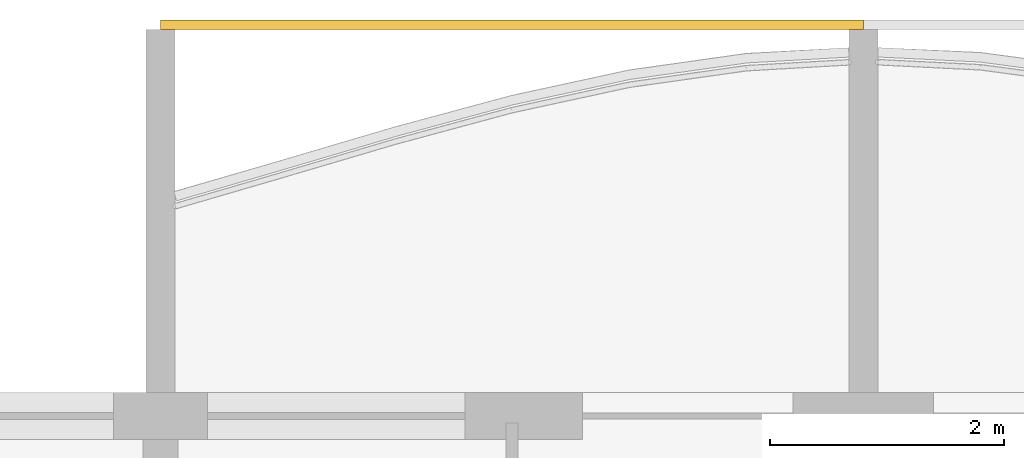
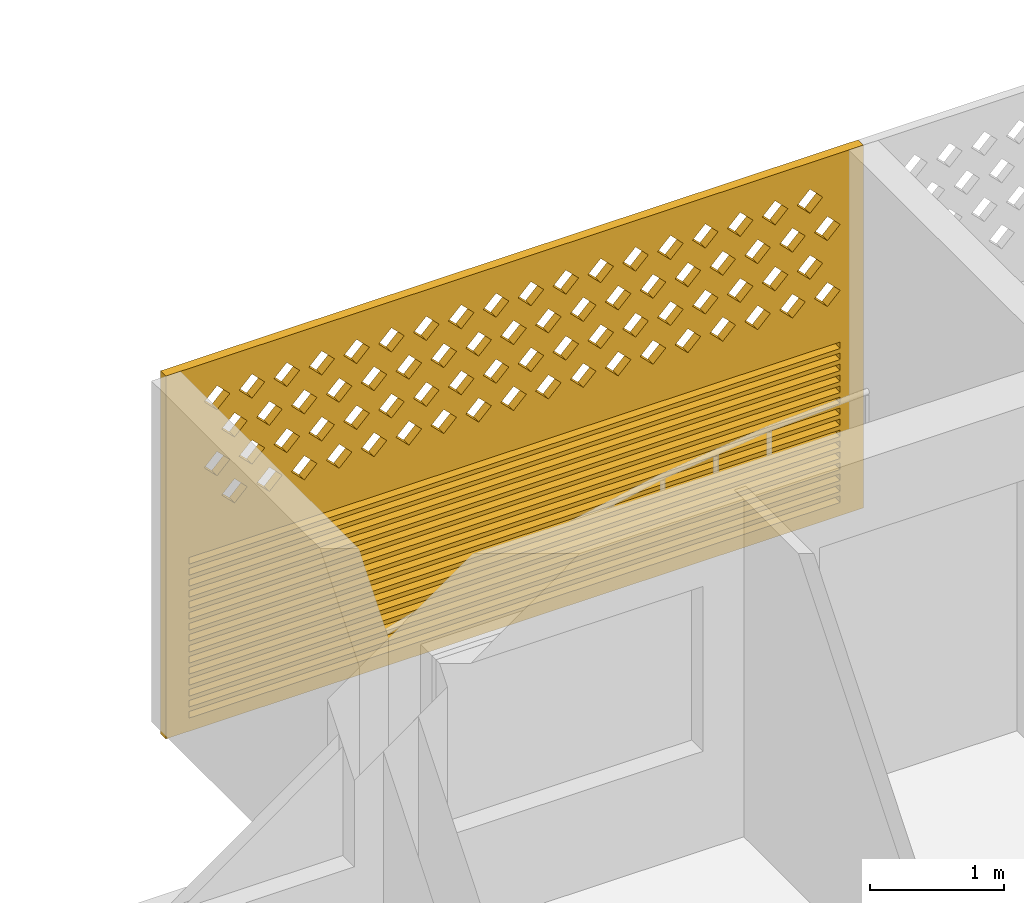
# One storey, part 27 of 31: 1 covering.
"""IFC4 building model written with IfcOpenShell, lengths in metres."""

from ifc_helpers import new_model, si_unit, direction, frame, origin, place, context, subcontext, project, spatial, polyline, outline, extrude, source, transform, mapped, material, material_profile, profile_set, type_object, element, save


model = new_model("IFC4")

# Units and contexts
model_context = context("Model", 3, precision=1e-05, world=origin(), true_north=direction((0.0, 1.0)))
body_context = subcontext(model_context, "Body", "Model", "MODEL_VIEW")
ifc_project = project(units=[si_unit("LENGTHUNIT", "METRE"), si_unit("AREAUNIT", "SQUARE_METRE"), si_unit("VOLUMEUNIT", "CUBIC_METRE"), si_unit("PLANEANGLEUNIT", "RADIAN"), si_unit("MASSUNIT", "GRAM", prefix="KILO")], contexts=[model_context])

# Site, building, storey
site_placement = place(None, origin())
site = spatial("IfcSite", under=ifc_project, at=site_placement, CompositionType="ELEMENT")
building_placement = place(site_placement, origin())
building = spatial("IfcBuilding", under=site, at=building_placement, Name="Poui Terraces", CompositionType="ELEMENT")
storey_placement = place(building_placement, frame((0.0, 0.0, 148.800048828125)))
storey = spatial("IfcBuildingStorey", under=building, at=storey_placement, Name="L41", CompositionType="ELEMENT", Elevation=148.800048828125)

# Covering
ifc_material = material(Name="Terracotta screen", Category="masonry")
ifc_material_profile = material_profile(ifc_material, outline(polyline([(-3.0, -1.64990234375), (3.0, -1.64990234375), (3.0, 1.64990234375), (-3.0, 1.64990234375), (-3.0, -1.64990234375)]), holes=[polyline([(-2.800048828125, 0.39990234375), (-2.68994140625, 0.2900390625), (-2.580078125, 0.39990234375), (-2.68994140625, 0.510009765625), (-2.800048828125, 0.39990234375)]), polyline([(-2.5, 0.39990234375), (-2.389892578125, 0.2900390625), (-2.280029296875, 0.39990234375), (-2.389892578125, 0.510009765625), (-2.5, 0.39990234375)]), polyline([(-2.199951171875, 0.39990234375), (-2.090087890625, 0.2900390625), (-1.97998046875, 0.39990234375), (-2.090087890625, 0.510009765625), (-2.199951171875, 0.39990234375)]), polyline([(-1.89990234375, 0.39990234375), (-1.7900390625, 0.2900390625), (-1.679931640625, 0.39990234375), (-1.7900390625, 0.510009765625), (-1.89990234375, 0.39990234375)]), polyline([(-1.60009765625, 0.39990234375), (-1.489990234375, 0.2900390625), (-1.3798828125, 0.39990234375), (-1.489990234375, 0.510009765625), (-1.60009765625, 0.39990234375)]), polyline([(-1.300048828125, 0.39990234375), (-1.18994140625, 0.2900390625), (-1.080078125, 0.39990234375), (-1.18994140625, 0.510009765625), (-1.300048828125, 0.39990234375)]), polyline([(-1.0, 0.39990234375), (-0.889892578125, 0.2900390625), (-0.780029296875, 0.39990234375), (-0.889892578125, 0.510009765625), (-1.0, 0.39990234375)]), polyline([(-0.699951171875, 0.39990234375), (-0.590087890625, 0.2900390625), (-0.47998046875, 0.39990234375), (-0.590087890625, 0.510009765625), (-0.699951171875, 0.39990234375)]), polyline([(-0.39990234375, 0.39990234375), (-0.2900390625, 0.2900390625), (-0.179931640625, 0.39990234375), (-0.2900390625, 0.510009765625), (-0.39990234375, 0.39990234375)]), polyline([(-0.10009765625, 0.39990234375), (0.010009765625, 0.2900390625), (0.1201171875, 0.39990234375), (0.010009765625, 0.510009765625), (-0.10009765625, 0.39990234375)]), polyline([(0.199951171875, 0.39990234375), (0.31005859375, 0.2900390625), (0.419921875, 0.39990234375), (0.31005859375, 0.510009765625), (0.199951171875, 0.39990234375)]), polyline([(0.5, 0.39990234375), (0.610107421875, 0.2900390625), (0.719970703125, 0.39990234375), (0.610107421875, 0.510009765625), (0.5, 0.39990234375)]), polyline([(0.800048828125, 0.39990234375), (0.909912109375, 0.2900390625), (1.02001953125, 0.39990234375), (0.909912109375, 0.510009765625), (0.800048828125, 0.39990234375)]), polyline([(1.10009765625, 0.39990234375), (1.2099609375, 0.2900390625), (1.320068359375, 0.39990234375), (1.2099609375, 0.510009765625), (1.10009765625, 0.39990234375)]), polyline([(1.39990234375, 0.39990234375), (1.510009765625, 0.2900390625), (1.6201171875, 0.39990234375), (1.510009765625, 0.510009765625), (1.39990234375, 0.39990234375)]), polyline([(1.699951171875, 0.39990234375), (1.81005859375, 0.2900390625), (1.919921875, 0.39990234375), (1.81005859375, 0.510009765625), (1.699951171875, 0.39990234375)]), polyline([(2.0, 0.39990234375), (2.110107421875, 0.2900390625), (2.219970703125, 0.39990234375), (2.110107421875, 0.510009765625), (2.0, 0.39990234375)]), polyline([(2.300048828125, 0.39990234375), (2.409912109375, 0.2900390625), (2.52001953125, 0.39990234375), (2.409912109375, 0.510009765625), (2.300048828125, 0.39990234375)]), polyline([(-2.64990234375, 0.699951171875), (-2.5400390625, 0.590087890625), (-2.429931640625, 0.699951171875), (-2.5400390625, 0.81005859375), (-2.64990234375, 0.699951171875)]), polyline([(-2.35009765625, 0.699951171875), (-2.239990234375, 0.590087890625), (-2.1298828125, 0.699951171875), (-2.239990234375, 0.81005859375), (-2.35009765625, 0.699951171875)]), polyline([(-2.050048828125, 0.699951171875), (-1.93994140625, 0.590087890625), (-1.830078125, 0.699951171875), (-1.93994140625, 0.81005859375), (-2.050048828125, 0.699951171875)]), polyline([(-1.75, 0.699951171875), (-1.639892578125, 0.590087890625), (-1.530029296875, 0.699951171875), (-1.639892578125, 0.81005859375), (-1.75, 0.699951171875)]), polyline([(-1.449951171875, 0.699951171875), (-1.340087890625, 0.590087890625), (-1.22998046875, 0.699951171875), (-1.340087890625, 0.81005859375), (-1.449951171875, 0.699951171875)]), polyline([(-1.14990234375, 0.699951171875), (-1.0400390625, 0.590087890625), (-0.929931640625, 0.699951171875), (-1.0400390625, 0.81005859375), (-1.14990234375, 0.699951171875)]), polyline([(-0.85009765625, 0.699951171875), (-0.739990234375, 0.590087890625), (-0.6298828125, 0.699951171875), (-0.739990234375, 0.81005859375), (-0.85009765625, 0.699951171875)]), polyline([(-0.550048828125, 0.699951171875), (-0.43994140625, 0.590087890625), (-0.330078125, 0.699951171875), (-0.43994140625, 0.81005859375), (-0.550048828125, 0.699951171875)]), polyline([(-0.25, 0.699951171875), (-0.139892578125, 0.590087890625), (-0.030029296875, 0.699951171875), (-0.139892578125, 0.81005859375), (-0.25, 0.699951171875)]), polyline([(0.050048828125, 0.699951171875), (0.159912109375, 0.590087890625), (0.27001953125, 0.699951171875), (0.159912109375, 0.81005859375), (0.050048828125, 0.699951171875)]), polyline([(0.35009765625, 0.699951171875), (0.4599609375, 0.590087890625), (0.570068359375, 0.699951171875), (0.4599609375, 0.81005859375), (0.35009765625, 0.699951171875)]), polyline([(0.64990234375, 0.699951171875), (0.760009765625, 0.590087890625), (0.8701171875, 0.699951171875), (0.760009765625, 0.81005859375), (0.64990234375, 0.699951171875)]), polyline([(0.949951171875, 0.699951171875), (1.06005859375, 0.590087890625), (1.169921875, 0.699951171875), (1.06005859375, 0.81005859375), (0.949951171875, 0.699951171875)]), polyline([(1.25, 0.699951171875), (1.360107421875, 0.590087890625), (1.469970703125, 0.699951171875), (1.360107421875, 0.81005859375), (1.25, 0.699951171875)]), polyline([(1.550048828125, 0.699951171875), (1.659912109375, 0.590087890625), (1.77001953125, 0.699951171875), (1.659912109375, 0.81005859375), (1.550048828125, 0.699951171875)]), polyline([(1.85009765625, 0.699951171875), (1.9599609375, 0.590087890625), (2.070068359375, 0.699951171875), (1.9599609375, 0.81005859375), (1.85009765625, 0.699951171875)]), polyline([(2.14990234375, 0.699951171875), (2.260009765625, 0.590087890625), (2.3701171875, 0.699951171875), (2.260009765625, 0.81005859375), (2.14990234375, 0.699951171875)]), polyline([(2.449951171875, 0.699951171875), (2.56005859375, 0.590087890625), (2.669921875, 0.699951171875), (2.56005859375, 0.81005859375), (2.449951171875, 0.699951171875)]), polyline([(-2.800048828125, 1.0), (-2.68994140625, 0.889892578125), (-2.580078125, 1.0), (-2.68994140625, 1.110107421875), (-2.800048828125, 1.0)]), polyline([(-2.5, 1.0), (-2.389892578125, 0.889892578125), (-2.280029296875, 1.0), (-2.389892578125, 1.110107421875), (-2.5, 1.0)]), polyline([(-2.199951171875, 1.0), (-2.090087890625, 0.889892578125), (-1.97998046875, 1.0), (-2.090087890625, 1.110107421875), (-2.199951171875, 1.0)]), polyline([(-1.89990234375, 1.0), (-1.7900390625, 0.889892578125), (-1.679931640625, 1.0), (-1.7900390625, 1.110107421875), (-1.89990234375, 1.0)]), polyline([(-1.60009765625, 1.0), (-1.489990234375, 0.889892578125), (-1.3798828125, 1.0), (-1.489990234375, 1.110107421875), (-1.60009765625, 1.0)]), polyline([(-1.300048828125, 1.0), (-1.18994140625, 0.889892578125), (-1.080078125, 1.0), (-1.18994140625, 1.110107421875), (-1.300048828125, 1.0)]), polyline([(-1.0, 1.0), (-0.889892578125, 0.889892578125), (-0.780029296875, 1.0), (-0.889892578125, 1.110107421875), (-1.0, 1.0)]), polyline([(-0.699951171875, 1.0), (-0.590087890625, 0.889892578125), (-0.47998046875, 1.0), (-0.590087890625, 1.110107421875), (-0.699951171875, 1.0)]), polyline([(-0.39990234375, 1.0), (-0.2900390625, 0.889892578125), (-0.179931640625, 1.0), (-0.2900390625, 1.110107421875), (-0.39990234375, 1.0)]), polyline([(-0.10009765625, 1.0), (0.010009765625, 0.889892578125), (0.1201171875, 1.0), (0.010009765625, 1.110107421875), (-0.10009765625, 1.0)]), polyline([(0.199951171875, 1.0), (0.31005859375, 0.889892578125), (0.419921875, 1.0), (0.31005859375, 1.110107421875), (0.199951171875, 1.0)]), polyline([(0.5, 1.0), (0.610107421875, 0.889892578125), (0.719970703125, 1.0), (0.610107421875, 1.110107421875), (0.5, 1.0)]), polyline([(0.800048828125, 1.0), (0.909912109375, 0.889892578125), (1.02001953125, 1.0), (0.909912109375, 1.110107421875), (0.800048828125, 1.0)]), polyline([(1.10009765625, 1.0), (1.2099609375, 0.889892578125), (1.320068359375, 1.0), (1.2099609375, 1.110107421875), (1.10009765625, 1.0)]), polyline([(1.39990234375, 1.0), (1.510009765625, 0.889892578125), (1.6201171875, 1.0), (1.510009765625, 1.110107421875), (1.39990234375, 1.0)]), polyline([(1.699951171875, 1.0), (1.81005859375, 0.889892578125), (1.919921875, 1.0), (1.81005859375, 1.110107421875), (1.699951171875, 1.0)]), polyline([(2.0, 1.0), (2.110107421875, 0.889892578125), (2.219970703125, 1.0), (2.110107421875, 1.110107421875), (2.0, 1.0)]), polyline([(2.300048828125, 1.0), (2.409912109375, 0.889892578125), (2.52001953125, 1.0), (2.409912109375, 1.110107421875), (2.300048828125, 1.0)]), polyline([(-2.64990234375, 1.300048828125), (-2.5400390625, 1.18994140625), (-2.429931640625, 1.300048828125), (-2.5400390625, 1.409912109375), (-2.64990234375, 1.300048828125)]), polyline([(-2.35009765625, 1.300048828125), (-2.239990234375, 1.18994140625), (-2.1298828125, 1.300048828125), (-2.239990234375, 1.409912109375), (-2.35009765625, 1.300048828125)]), polyline([(-2.050048828125, 1.300048828125), (-1.93994140625, 1.18994140625), (-1.830078125, 1.300048828125), (-1.93994140625, 1.409912109375), (-2.050048828125, 1.300048828125)]), polyline([(-1.75, 1.300048828125), (-1.639892578125, 1.18994140625), (-1.530029296875, 1.300048828125), (-1.639892578125, 1.409912109375), (-1.75, 1.300048828125)]), polyline([(-1.449951171875, 1.300048828125), (-1.340087890625, 1.18994140625), (-1.22998046875, 1.300048828125), (-1.340087890625, 1.409912109375), (-1.449951171875, 1.300048828125)]), polyline([(-1.14990234375, 1.300048828125), (-1.0400390625, 1.18994140625), (-0.929931640625, 1.300048828125), (-1.0400390625, 1.409912109375), (-1.14990234375, 1.300048828125)]), polyline([(-0.85009765625, 1.300048828125), (-0.739990234375, 1.18994140625), (-0.6298828125, 1.300048828125), (-0.739990234375, 1.409912109375), (-0.85009765625, 1.300048828125)]), polyline([(-0.550048828125, 1.300048828125), (-0.43994140625, 1.18994140625), (-0.330078125, 1.300048828125), (-0.43994140625, 1.409912109375), (-0.550048828125, 1.300048828125)]), polyline([(-0.25, 1.300048828125), (-0.139892578125, 1.18994140625), (-0.030029296875, 1.300048828125), (-0.139892578125, 1.409912109375), (-0.25, 1.300048828125)]), polyline([(0.050048828125, 1.300048828125), (0.159912109375, 1.18994140625), (0.27001953125, 1.300048828125), (0.159912109375, 1.409912109375), (0.050048828125, 1.300048828125)]), polyline([(0.35009765625, 1.300048828125), (0.4599609375, 1.18994140625), (0.570068359375, 1.300048828125), (0.4599609375, 1.409912109375), (0.35009765625, 1.300048828125)]), polyline([(0.64990234375, 1.300048828125), (0.760009765625, 1.18994140625), (0.8701171875, 1.300048828125), (0.760009765625, 1.409912109375), (0.64990234375, 1.300048828125)]), polyline([(0.949951171875, 1.300048828125), (1.06005859375, 1.18994140625), (1.169921875, 1.300048828125), (1.06005859375, 1.409912109375), (0.949951171875, 1.300048828125)]), polyline([(1.25, 1.300048828125), (1.360107421875, 1.18994140625), (1.469970703125, 1.300048828125), (1.360107421875, 1.409912109375), (1.25, 1.300048828125)]), polyline([(1.550048828125, 1.300048828125), (1.659912109375, 1.18994140625), (1.77001953125, 1.300048828125), (1.659912109375, 1.409912109375), (1.550048828125, 1.300048828125)]), polyline([(1.85009765625, 1.300048828125), (1.9599609375, 1.18994140625), (2.070068359375, 1.300048828125), (1.9599609375, 1.409912109375), (1.85009765625, 1.300048828125)]), polyline([(2.14990234375, 1.300048828125), (2.260009765625, 1.18994140625), (2.3701171875, 1.300048828125), (2.260009765625, 1.409912109375), (2.14990234375, 1.300048828125)]), polyline([(2.449951171875, 1.300048828125), (2.56005859375, 1.18994140625), (2.669921875, 1.300048828125), (2.56005859375, 1.409912109375), (2.449951171875, 1.300048828125)]), polyline([(-2.800048828125, -1.530029296875), (2.800048828125, -1.530029296875), (2.800048828125, -1.469970703125), (-2.800048828125, -1.469970703125), (-2.800048828125, -1.530029296875)]), polyline([(-2.800048828125, -1.429931640625), (2.800048828125, -1.429931640625), (2.800048828125, -1.3701171875), (-2.800048828125, -1.3701171875), (-2.800048828125, -1.429931640625)]), polyline([(-2.800048828125, -1.330078125), (2.800048828125, -1.330078125), (2.800048828125, -1.27001953125), (-2.800048828125, -1.27001953125), (-2.800048828125, -1.330078125)]), polyline([(-2.800048828125, -1.22998046875), (2.800048828125, -1.22998046875), (2.800048828125, -1.169921875), (-2.800048828125, -1.169921875), (-2.800048828125, -1.22998046875)]), polyline([(-2.800048828125, -1.1298828125), (2.800048828125, -1.1298828125), (2.800048828125, -1.070068359375), (-2.800048828125, -1.070068359375), (-2.800048828125, -1.1298828125)]), polyline([(-2.800048828125, -1.030029296875), (2.800048828125, -1.030029296875), (2.800048828125, -0.969970703125), (-2.800048828125, -0.969970703125), (-2.800048828125, -1.030029296875)]), polyline([(-2.800048828125, -0.929931640625), (2.800048828125, -0.929931640625), (2.800048828125, -0.8701171875), (-2.800048828125, -0.8701171875), (-2.800048828125, -0.929931640625)]), polyline([(-2.800048828125, -0.830078125), (2.800048828125, -0.830078125), (2.800048828125, -0.77001953125), (-2.800048828125, -0.77001953125), (-2.800048828125, -0.830078125)]), polyline([(-2.800048828125, -0.72998046875), (2.800048828125, -0.72998046875), (2.800048828125, -0.669921875), (-2.800048828125, -0.669921875), (-2.800048828125, -0.72998046875)]), polyline([(-2.800048828125, -0.6298828125), (2.800048828125, -0.6298828125), (2.800048828125, -0.570068359375), (-2.800048828125, -0.570068359375), (-2.800048828125, -0.6298828125)]), polyline([(-2.800048828125, -0.530029296875), (2.800048828125, -0.530029296875), (2.800048828125, -0.469970703125), (-2.800048828125, -0.469970703125), (-2.800048828125, -0.530029296875)]), polyline([(-2.800048828125, -0.429931640625), (2.800048828125, -0.429931640625), (2.800048828125, -0.3701171875), (-2.800048828125, -0.3701171875), (-2.800048828125, -0.429931640625)]), polyline([(-2.800048828125, -0.330078125), (2.800048828125, -0.330078125), (2.800048828125, -0.27001953125), (-2.800048828125, -0.27001953125), (-2.800048828125, -0.330078125)]), polyline([(-2.800048828125, -0.22998046875), (2.800048828125, -0.22998046875), (2.800048828125, -0.169921875), (-2.800048828125, -0.169921875), (-2.800048828125, -0.22998046875)]), polyline([(-2.800048828125, -0.1298828125), (2.800048828125, -0.1298828125), (2.800048828125, -0.070068359375), (-2.800048828125, -0.070068359375), (-2.800048828125, -0.1298828125)])]), Name="TERRACOTTA SCREEN AND JALOUSIE LOUVRE 6000X3300")
ifc_profile_set = profile_set([ifc_material_profile], Name="Terracotta screen")
covering_type = type_object("IfcCoveringType", Name="TERRACOTTA SCREEN AND JALOUSIE LOUVRE 6000X3300", PredefinedType="CLADDING", material=ifc_profile_set)
shared_shape = source(origin(), body_context, "Body", "SweptSolid", [
    extrude(outline(polyline([(-3.0, -1.64990234375), (3.0, -1.64990234375), (3.0, 1.64990234375), (-3.0, 1.64990234375), (-3.0, -1.64990234375)]), holes=[polyline([(-2.800048828125, 0.39990234375), (-2.68994140625, 0.2900390625), (-2.580078125, 0.39990234375), (-2.68994140625, 0.510009765625), (-2.800048828125, 0.39990234375)]), polyline([(-2.5, 0.39990234375), (-2.389892578125, 0.2900390625), (-2.280029296875, 0.39990234375), (-2.389892578125, 0.510009765625), (-2.5, 0.39990234375)]), polyline([(-2.199951171875, 0.39990234375), (-2.090087890625, 0.2900390625), (-1.97998046875, 0.39990234375), (-2.090087890625, 0.510009765625), (-2.199951171875, 0.39990234375)]), polyline([(-1.89990234375, 0.39990234375), (-1.7900390625, 0.2900390625), (-1.679931640625, 0.39990234375), (-1.7900390625, 0.510009765625), (-1.89990234375, 0.39990234375)]), polyline([(-1.60009765625, 0.39990234375), (-1.489990234375, 0.2900390625), (-1.3798828125, 0.39990234375), (-1.489990234375, 0.510009765625), (-1.60009765625, 0.39990234375)]), polyline([(-1.300048828125, 0.39990234375), (-1.18994140625, 0.2900390625), (-1.080078125, 0.39990234375), (-1.18994140625, 0.510009765625), (-1.300048828125, 0.39990234375)]), polyline([(-1.0, 0.39990234375), (-0.889892578125, 0.2900390625), (-0.780029296875, 0.39990234375), (-0.889892578125, 0.510009765625), (-1.0, 0.39990234375)]), polyline([(-0.699951171875, 0.39990234375), (-0.590087890625, 0.2900390625), (-0.47998046875, 0.39990234375), (-0.590087890625, 0.510009765625), (-0.699951171875, 0.39990234375)]), polyline([(-0.39990234375, 0.39990234375), (-0.2900390625, 0.2900390625), (-0.179931640625, 0.39990234375), (-0.2900390625, 0.510009765625), (-0.39990234375, 0.39990234375)]), polyline([(-0.10009765625, 0.39990234375), (0.010009765625, 0.2900390625), (0.1201171875, 0.39990234375), (0.010009765625, 0.510009765625), (-0.10009765625, 0.39990234375)]), polyline([(0.199951171875, 0.39990234375), (0.31005859375, 0.2900390625), (0.419921875, 0.39990234375), (0.31005859375, 0.510009765625), (0.199951171875, 0.39990234375)]), polyline([(0.5, 0.39990234375), (0.610107421875, 0.2900390625), (0.719970703125, 0.39990234375), (0.610107421875, 0.510009765625), (0.5, 0.39990234375)]), polyline([(0.800048828125, 0.39990234375), (0.909912109375, 0.2900390625), (1.02001953125, 0.39990234375), (0.909912109375, 0.510009765625), (0.800048828125, 0.39990234375)]), polyline([(1.10009765625, 0.39990234375), (1.2099609375, 0.2900390625), (1.320068359375, 0.39990234375), (1.2099609375, 0.510009765625), (1.10009765625, 0.39990234375)]), polyline([(1.39990234375, 0.39990234375), (1.510009765625, 0.2900390625), (1.6201171875, 0.39990234375), (1.510009765625, 0.510009765625), (1.39990234375, 0.39990234375)]), polyline([(1.699951171875, 0.39990234375), (1.81005859375, 0.2900390625), (1.919921875, 0.39990234375), (1.81005859375, 0.510009765625), (1.699951171875, 0.39990234375)]), polyline([(2.0, 0.39990234375), (2.110107421875, 0.2900390625), (2.219970703125, 0.39990234375), (2.110107421875, 0.510009765625), (2.0, 0.39990234375)]), polyline([(2.300048828125, 0.39990234375), (2.409912109375, 0.2900390625), (2.52001953125, 0.39990234375), (2.409912109375, 0.510009765625), (2.300048828125, 0.39990234375)]), polyline([(-2.64990234375, 0.699951171875), (-2.5400390625, 0.590087890625), (-2.429931640625, 0.699951171875), (-2.5400390625, 0.81005859375), (-2.64990234375, 0.699951171875)]), polyline([(-2.35009765625, 0.699951171875), (-2.239990234375, 0.590087890625), (-2.1298828125, 0.699951171875), (-2.239990234375, 0.81005859375), (-2.35009765625, 0.699951171875)]), polyline([(-2.050048828125, 0.699951171875), (-1.93994140625, 0.590087890625), (-1.830078125, 0.699951171875), (-1.93994140625, 0.81005859375), (-2.050048828125, 0.699951171875)]), polyline([(-1.75, 0.699951171875), (-1.639892578125, 0.590087890625), (-1.530029296875, 0.699951171875), (-1.639892578125, 0.81005859375), (-1.75, 0.699951171875)]), polyline([(-1.449951171875, 0.699951171875), (-1.340087890625, 0.590087890625), (-1.22998046875, 0.699951171875), (-1.340087890625, 0.81005859375), (-1.449951171875, 0.699951171875)]), polyline([(-1.14990234375, 0.699951171875), (-1.0400390625, 0.590087890625), (-0.929931640625, 0.699951171875), (-1.0400390625, 0.81005859375), (-1.14990234375, 0.699951171875)]), polyline([(-0.85009765625, 0.699951171875), (-0.739990234375, 0.590087890625), (-0.6298828125, 0.699951171875), (-0.739990234375, 0.81005859375), (-0.85009765625, 0.699951171875)]), polyline([(-0.550048828125, 0.699951171875), (-0.43994140625, 0.590087890625), (-0.330078125, 0.699951171875), (-0.43994140625, 0.81005859375), (-0.550048828125, 0.699951171875)]), polyline([(-0.25, 0.699951171875), (-0.139892578125, 0.590087890625), (-0.030029296875, 0.699951171875), (-0.139892578125, 0.81005859375), (-0.25, 0.699951171875)]), polyline([(0.050048828125, 0.699951171875), (0.159912109375, 0.590087890625), (0.27001953125, 0.699951171875), (0.159912109375, 0.81005859375), (0.050048828125, 0.699951171875)]), polyline([(0.35009765625, 0.699951171875), (0.4599609375, 0.590087890625), (0.570068359375, 0.699951171875), (0.4599609375, 0.81005859375), (0.35009765625, 0.699951171875)]), polyline([(0.64990234375, 0.699951171875), (0.760009765625, 0.590087890625), (0.8701171875, 0.699951171875), (0.760009765625, 0.81005859375), (0.64990234375, 0.699951171875)]), polyline([(0.949951171875, 0.699951171875), (1.06005859375, 0.590087890625), (1.169921875, 0.699951171875), (1.06005859375, 0.81005859375), (0.949951171875, 0.699951171875)]), polyline([(1.25, 0.699951171875), (1.360107421875, 0.590087890625), (1.469970703125, 0.699951171875), (1.360107421875, 0.81005859375), (1.25, 0.699951171875)]), polyline([(1.550048828125, 0.699951171875), (1.659912109375, 0.590087890625), (1.77001953125, 0.699951171875), (1.659912109375, 0.81005859375), (1.550048828125, 0.699951171875)]), polyline([(1.85009765625, 0.699951171875), (1.9599609375, 0.590087890625), (2.070068359375, 0.699951171875), (1.9599609375, 0.81005859375), (1.85009765625, 0.699951171875)]), polyline([(2.14990234375, 0.699951171875), (2.260009765625, 0.590087890625), (2.3701171875, 0.699951171875), (2.260009765625, 0.81005859375), (2.14990234375, 0.699951171875)]), polyline([(2.449951171875, 0.699951171875), (2.56005859375, 0.590087890625), (2.669921875, 0.699951171875), (2.56005859375, 0.81005859375), (2.449951171875, 0.699951171875)]), polyline([(-2.800048828125, 1.0), (-2.68994140625, 0.889892578125), (-2.580078125, 1.0), (-2.68994140625, 1.110107421875), (-2.800048828125, 1.0)]), polyline([(-2.5, 1.0), (-2.389892578125, 0.889892578125), (-2.280029296875, 1.0), (-2.389892578125, 1.110107421875), (-2.5, 1.0)]), polyline([(-2.199951171875, 1.0), (-2.090087890625, 0.889892578125), (-1.97998046875, 1.0), (-2.090087890625, 1.110107421875), (-2.199951171875, 1.0)]), polyline([(-1.89990234375, 1.0), (-1.7900390625, 0.889892578125), (-1.679931640625, 1.0), (-1.7900390625, 1.110107421875), (-1.89990234375, 1.0)]), polyline([(-1.60009765625, 1.0), (-1.489990234375, 0.889892578125), (-1.3798828125, 1.0), (-1.489990234375, 1.110107421875), (-1.60009765625, 1.0)]), polyline([(-1.300048828125, 1.0), (-1.18994140625, 0.889892578125), (-1.080078125, 1.0), (-1.18994140625, 1.110107421875), (-1.300048828125, 1.0)]), polyline([(-1.0, 1.0), (-0.889892578125, 0.889892578125), (-0.780029296875, 1.0), (-0.889892578125, 1.110107421875), (-1.0, 1.0)]), polyline([(-0.699951171875, 1.0), (-0.590087890625, 0.889892578125), (-0.47998046875, 1.0), (-0.590087890625, 1.110107421875), (-0.699951171875, 1.0)]), polyline([(-0.39990234375, 1.0), (-0.2900390625, 0.889892578125), (-0.179931640625, 1.0), (-0.2900390625, 1.110107421875), (-0.39990234375, 1.0)]), polyline([(-0.10009765625, 1.0), (0.010009765625, 0.889892578125), (0.1201171875, 1.0), (0.010009765625, 1.110107421875), (-0.10009765625, 1.0)]), polyline([(0.199951171875, 1.0), (0.31005859375, 0.889892578125), (0.419921875, 1.0), (0.31005859375, 1.110107421875), (0.199951171875, 1.0)]), polyline([(0.5, 1.0), (0.610107421875, 0.889892578125), (0.719970703125, 1.0), (0.610107421875, 1.110107421875), (0.5, 1.0)]), polyline([(0.800048828125, 1.0), (0.909912109375, 0.889892578125), (1.02001953125, 1.0), (0.909912109375, 1.110107421875), (0.800048828125, 1.0)]), polyline([(1.10009765625, 1.0), (1.2099609375, 0.889892578125), (1.320068359375, 1.0), (1.2099609375, 1.110107421875), (1.10009765625, 1.0)]), polyline([(1.39990234375, 1.0), (1.510009765625, 0.889892578125), (1.6201171875, 1.0), (1.510009765625, 1.110107421875), (1.39990234375, 1.0)]), polyline([(1.699951171875, 1.0), (1.81005859375, 0.889892578125), (1.919921875, 1.0), (1.81005859375, 1.110107421875), (1.699951171875, 1.0)]), polyline([(2.0, 1.0), (2.110107421875, 0.889892578125), (2.219970703125, 1.0), (2.110107421875, 1.110107421875), (2.0, 1.0)]), polyline([(2.300048828125, 1.0), (2.409912109375, 0.889892578125), (2.52001953125, 1.0), (2.409912109375, 1.110107421875), (2.300048828125, 1.0)]), polyline([(-2.64990234375, 1.300048828125), (-2.5400390625, 1.18994140625), (-2.429931640625, 1.300048828125), (-2.5400390625, 1.409912109375), (-2.64990234375, 1.300048828125)]), polyline([(-2.35009765625, 1.300048828125), (-2.239990234375, 1.18994140625), (-2.1298828125, 1.300048828125), (-2.239990234375, 1.409912109375), (-2.35009765625, 1.300048828125)]), polyline([(-2.050048828125, 1.300048828125), (-1.93994140625, 1.18994140625), (-1.830078125, 1.300048828125), (-1.93994140625, 1.409912109375), (-2.050048828125, 1.300048828125)]), polyline([(-1.75, 1.300048828125), (-1.639892578125, 1.18994140625), (-1.530029296875, 1.300048828125), (-1.639892578125, 1.409912109375), (-1.75, 1.300048828125)]), polyline([(-1.449951171875, 1.300048828125), (-1.340087890625, 1.18994140625), (-1.22998046875, 1.300048828125), (-1.340087890625, 1.409912109375), (-1.449951171875, 1.300048828125)]), polyline([(-1.14990234375, 1.300048828125), (-1.0400390625, 1.18994140625), (-0.929931640625, 1.300048828125), (-1.0400390625, 1.409912109375), (-1.14990234375, 1.300048828125)]), polyline([(-0.85009765625, 1.300048828125), (-0.739990234375, 1.18994140625), (-0.6298828125, 1.300048828125), (-0.739990234375, 1.409912109375), (-0.85009765625, 1.300048828125)]), polyline([(-0.550048828125, 1.300048828125), (-0.43994140625, 1.18994140625), (-0.330078125, 1.300048828125), (-0.43994140625, 1.409912109375), (-0.550048828125, 1.300048828125)]), polyline([(-0.25, 1.300048828125), (-0.139892578125, 1.18994140625), (-0.030029296875, 1.300048828125), (-0.139892578125, 1.409912109375), (-0.25, 1.300048828125)]), polyline([(0.050048828125, 1.300048828125), (0.159912109375, 1.18994140625), (0.27001953125, 1.300048828125), (0.159912109375, 1.409912109375), (0.050048828125, 1.300048828125)]), polyline([(0.35009765625, 1.300048828125), (0.4599609375, 1.18994140625), (0.570068359375, 1.300048828125), (0.4599609375, 1.409912109375), (0.35009765625, 1.300048828125)]), polyline([(0.64990234375, 1.300048828125), (0.760009765625, 1.18994140625), (0.8701171875, 1.300048828125), (0.760009765625, 1.409912109375), (0.64990234375, 1.300048828125)]), polyline([(0.949951171875, 1.300048828125), (1.06005859375, 1.18994140625), (1.169921875, 1.300048828125), (1.06005859375, 1.409912109375), (0.949951171875, 1.300048828125)]), polyline([(1.25, 1.300048828125), (1.360107421875, 1.18994140625), (1.469970703125, 1.300048828125), (1.360107421875, 1.409912109375), (1.25, 1.300048828125)]), polyline([(1.550048828125, 1.300048828125), (1.659912109375, 1.18994140625), (1.77001953125, 1.300048828125), (1.659912109375, 1.409912109375), (1.550048828125, 1.300048828125)]), polyline([(1.85009765625, 1.300048828125), (1.9599609375, 1.18994140625), (2.070068359375, 1.300048828125), (1.9599609375, 1.409912109375), (1.85009765625, 1.300048828125)]), polyline([(2.14990234375, 1.300048828125), (2.260009765625, 1.18994140625), (2.3701171875, 1.300048828125), (2.260009765625, 1.409912109375), (2.14990234375, 1.300048828125)]), polyline([(2.449951171875, 1.300048828125), (2.56005859375, 1.18994140625), (2.669921875, 1.300048828125), (2.56005859375, 1.409912109375), (2.449951171875, 1.300048828125)]), polyline([(-2.800048828125, -1.530029296875), (2.800048828125, -1.530029296875), (2.800048828125, -1.469970703125), (-2.800048828125, -1.469970703125), (-2.800048828125, -1.530029296875)]), polyline([(-2.800048828125, -1.429931640625), (2.800048828125, -1.429931640625), (2.800048828125, -1.3701171875), (-2.800048828125, -1.3701171875), (-2.800048828125, -1.429931640625)]), polyline([(-2.800048828125, -1.330078125), (2.800048828125, -1.330078125), (2.800048828125, -1.27001953125), (-2.800048828125, -1.27001953125), (-2.800048828125, -1.330078125)]), polyline([(-2.800048828125, -1.22998046875), (2.800048828125, -1.22998046875), (2.800048828125, -1.169921875), (-2.800048828125, -1.169921875), (-2.800048828125, -1.22998046875)]), polyline([(-2.800048828125, -1.1298828125), (2.800048828125, -1.1298828125), (2.800048828125, -1.070068359375), (-2.800048828125, -1.070068359375), (-2.800048828125, -1.1298828125)]), polyline([(-2.800048828125, -1.030029296875), (2.800048828125, -1.030029296875), (2.800048828125, -0.969970703125), (-2.800048828125, -0.969970703125), (-2.800048828125, -1.030029296875)]), polyline([(-2.800048828125, -0.929931640625), (2.800048828125, -0.929931640625), (2.800048828125, -0.8701171875), (-2.800048828125, -0.8701171875), (-2.800048828125, -0.929931640625)]), polyline([(-2.800048828125, -0.830078125), (2.800048828125, -0.830078125), (2.800048828125, -0.77001953125), (-2.800048828125, -0.77001953125), (-2.800048828125, -0.830078125)]), polyline([(-2.800048828125, -0.72998046875), (2.800048828125, -0.72998046875), (2.800048828125, -0.669921875), (-2.800048828125, -0.669921875), (-2.800048828125, -0.72998046875)]), polyline([(-2.800048828125, -0.6298828125), (2.800048828125, -0.6298828125), (2.800048828125, -0.570068359375), (-2.800048828125, -0.570068359375), (-2.800048828125, -0.6298828125)]), polyline([(-2.800048828125, -0.530029296875), (2.800048828125, -0.530029296875), (2.800048828125, -0.469970703125), (-2.800048828125, -0.469970703125), (-2.800048828125, -0.530029296875)]), polyline([(-2.800048828125, -0.429931640625), (2.800048828125, -0.429931640625), (2.800048828125, -0.3701171875), (-2.800048828125, -0.3701171875), (-2.800048828125, -0.429931640625)]), polyline([(-2.800048828125, -0.330078125), (2.800048828125, -0.330078125), (2.800048828125, -0.27001953125), (-2.800048828125, -0.27001953125), (-2.800048828125, -0.330078125)]), polyline([(-2.800048828125, -0.22998046875), (2.800048828125, -0.22998046875), (2.800048828125, -0.169921875), (-2.800048828125, -0.169921875), (-2.800048828125, -0.22998046875)]), polyline([(-2.800048828125, -0.1298828125), (2.800048828125, -0.1298828125), (2.800048828125, -0.070068359375), (-2.800048828125, -0.070068359375), (-2.800048828125, -0.1298828125)])]), origin(), (0.0, 0.0, 1.0), 0.080078125),
])
covering_placement = place(storey_placement, frame((69.0, 45.699951171875, 1.449951171875), z_axis=(0.0, 1.0, 0.0), x_axis=(-1.0, 0.0, 0.0)))
element("IfcCovering", 1, at=covering_placement, inside=storey, type_object=covering_type, Name="SOLAR SCREEN AND JALOUSIE LOUVRE", PredefinedType="CLADDING", context=body_context, shape_type="MappedRepresentation", body=[
    mapped(shared_shape, transform((0.0, 0.0, 0.0))),
])

save(model, "model.ifc")
